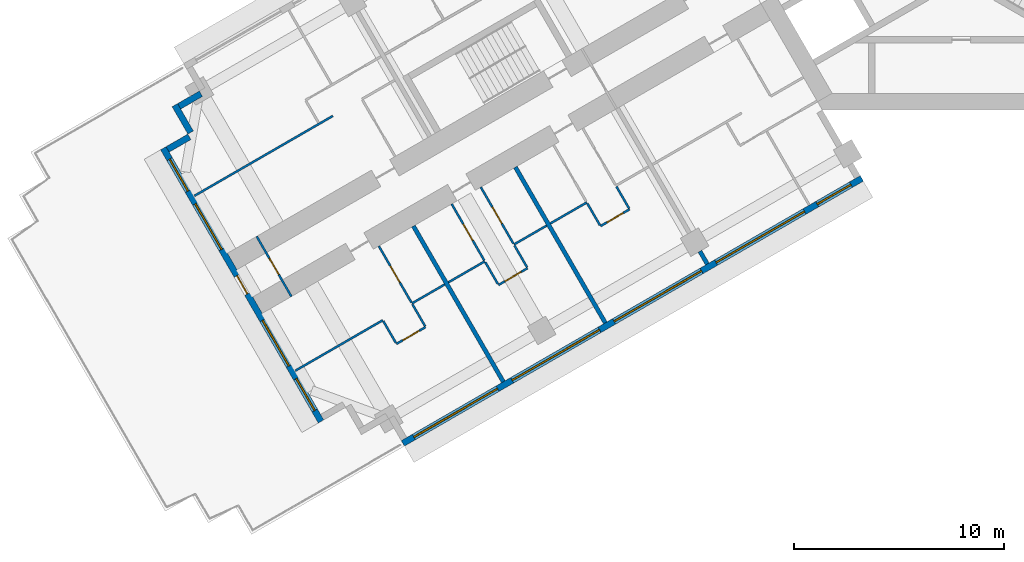
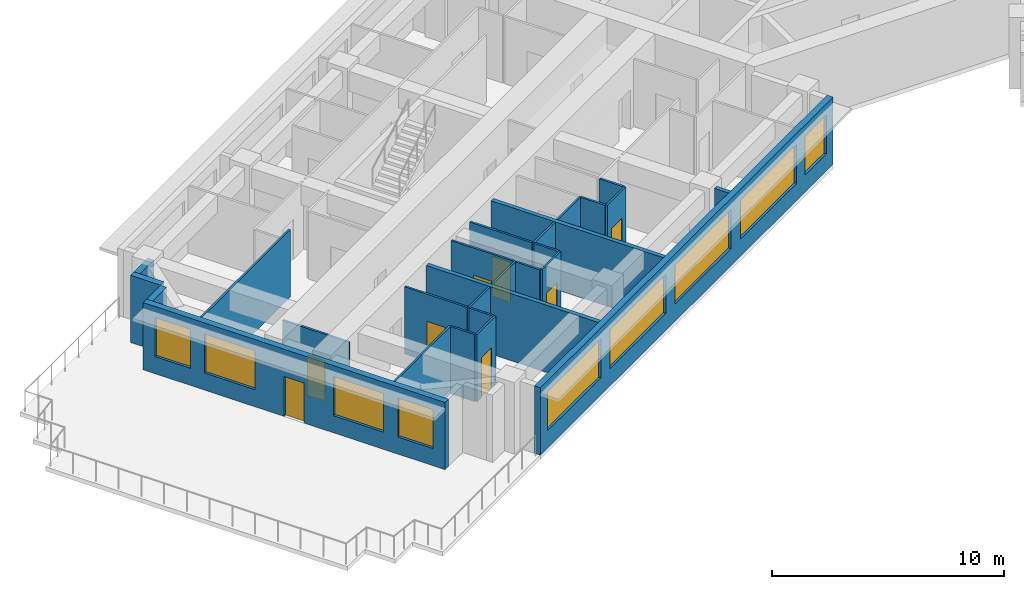
# One storey, part 3 of 15: 27 walls, 9 windows, 8 doors, 17 openings.
"""IFC4 building model written with IfcOpenShell, lengths in metres."""

from ifc_helpers import new_model, si_unit, direction, frame, frame_2d, origin, place, context, subcontext, project, spatial, rectangle, extrude, material, layer, layer_set, type_object, element, fill, save


model = new_model("IFC4")

# Units and contexts
model_context = context("Model", 3, precision=1e-05, world=origin(), true_north=direction((0.0, 1.0)))
body_context = subcontext(model_context, "Body", "Model", "MODEL_VIEW")
ifc_project = project(units=[si_unit("LENGTHUNIT", "METRE"), si_unit("AREAUNIT", "SQUARE_METRE"), si_unit("VOLUMEUNIT", "CUBIC_METRE"), si_unit("PLANEANGLEUNIT", "RADIAN"), si_unit("MASSUNIT", "GRAM", prefix="KILO")], contexts=[model_context])

# Site, building, storey
site_placement = place(None, origin())
site = spatial("IfcSite", under=ifc_project, at=site_placement, CompositionType="ELEMENT")
building_placement = place(site_placement, origin())
building = spatial("IfcBuilding", under=site, at=building_placement, Name="Impinga Residences", CompositionType="ELEMENT")
storey_placement = place(building_placement, frame((0.0, 0.0, 132.25)))
storey = spatial("IfcBuildingStorey", under=building, at=storey_placement, Name="L32", CompositionType="ELEMENT", Elevation=132.25)

# Wall, opening, door
ifc_material_1 = material(Name="Concrete blockwork", Category="masonry")
ifc_layer_1 = layer(ifc_material_1, 0.10009765625)
ifc_layer_set_1 = layer_set([ifc_layer_1], Name="CP1 core room partition, blockwork 100")
wall_type_1 = type_object("IfcWallType", Name="CP1 core room partition, blockwork 100", PredefinedType="PARTITIONING", material=ifc_layer_set_1)
wall_1_placement = place(storey_placement, frame((-31.8515625, -20.294677734375, 0.0), z_axis=(0.0, 0.0, 1.0), x_axis=(-0.499974350878, 0.866040211805, 0.0)))
wall_1 = element("IfcWall", 1, at=wall_1_placement, inside=storey, type_object=wall_type_1, Name="Core room partition, blockwork L32:W:RFA", PredefinedType="PARTITIONING", context=body_context, shape_type="SweptSolid", body=[
    extrude(rectangle(XDim=3.300048828125, YDim=0.10009765625, at=frame_2d((1.64990234375, 0.0))), origin(), (0.0, 0.0, 1.0), 3.530029296875),
])
opening_1_placement = place(wall_1_placement, frame((1.199951171875, 0.0, 0.0)))
opening_1 = element("IfcOpeningElement", 2, at=opening_1_placement, cuts=wall_1, Name="Opening D6", PredefinedType="OPENING", context=body_context, shape_type="SweptSolid", body=[
    extrude(rectangle(XDim=0.89990234375, YDim=2.10009765625, at=frame_2d((0.449951171875, 1.050048828125))), frame((0.0, 0.06005859375, 0.0), z_axis=(0.0, -1.0, 0.0), x_axis=(1.0, 0.0, 0.0)), (0.0, 0.0, 1.0), 0.1201171875),
])
ifc_material_2 = material(Name="Timber door set", Category="wood")
door_type_1 = type_object("IfcDoorType", Name="D6 riser and store door 900x2100", OperationType="SINGLE_SWING_LEFT", PredefinedType="DOOR", material=ifc_material_2)
door_1_placement = place(opening_1_placement, origin())
door_1 = element("IfcDoor", 3, at=door_1_placement, inside=storey, type_object=door_type_1, Name="Roof access room door W", OperationType="SINGLE_SWING_LEFT", OverallHeight=2.10009765625, OverallWidth=0.89990234375, PredefinedType="DOOR", context=body_context, shape_type="SweptSolid", body=[
    extrude(rectangle(XDim=0.89990234375, YDim=2.10009765625, at=frame_2d((0.449951171875, 1.050048828125))), frame((0.0, 0.02490234375, 0.0), z_axis=(0.0, -1.0, 0.0), x_axis=(1.0, 0.0, 0.0)), (0.0, 0.0, 1.0), 0.050048828125),
])
fill(opening_1, door_1)

# Wall, openings, windows
ifc_material_3 = material(Name="Terracotta rainscreen on blockwork", Category="masonry")
ifc_layer_2 = layer(ifc_material_3, 0.300048828125)
ifc_layer_set_2 = layer_set([ifc_layer_2], Name="EW1 external wall, terracotta rainscreen on blockwork 300")
wall_type_2 = type_object("IfcWallType", Name="EW1 external wall, terracotta rainscreen on blockwork 300", PredefinedType="SOLIDWALL", material=ifc_layer_set_2)
wall_2_placement = place(storey_placement, frame((-4.72509765625, -14.67919921875, 0.0), z_axis=(0.0, 0.0, 1.0), x_axis=(-0.866026832479, -0.499997525421, 0.0)))
wall_2 = element("IfcWall", 4, at=wall_2_placement, inside=storey, type_object=wall_type_2, Name="External wall EW1 L32", PredefinedType="SOLIDWALL", context=body_context, shape_type="SweptSolid", body=[
    extrude(rectangle(XDim=25.199951171875, YDim=0.300048828125, at=frame_2d((12.60009765625, 0.0))), origin(), (0.0, 0.0, 1.0), 3.530029296875),
])
opening_2_placement = place(wall_2_placement, frame((0.60009765625, 0.0, 0.89990234375)))
opening_2 = element("IfcOpeningElement", 5, at=opening_2_placement, cuts=wall_2, Name="Opening W15", PredefinedType="OPENING", context=body_context, shape_type="SweptSolid", body=[
    extrude(rectangle(XDim=1.85009765625, YDim=2.050048828125, at=frame_2d((0.925048828125, 1.02490234375))), frame((0.0, 0.159912109375, 0.0), z_axis=(0.0, -1.0, 0.0), x_axis=(1.0, 0.0, 0.0)), (0.0, 0.0, 1.0), 0.320068359375),
])
opening_3_placement = place(wall_2_placement, frame((3.14990234375, 0.0, 0.89990234375)))
opening_3 = element("IfcOpeningElement", 6, at=opening_3_placement, cuts=wall_2, Name="Opening W6", PredefinedType="OPENING", context=body_context, shape_type="SweptSolid", body=[
    extrude(rectangle(XDim=4.85009765625, YDim=2.050048828125, at=frame_2d((2.425048828125, 1.02490234375))), frame((0.0, 0.159912109375, 0.0), z_axis=(0.0, -1.0, 0.0), x_axis=(1.0, 0.0, 0.0)), (0.0, 0.0, 1.0), 0.320068359375),
])
opening_4_placement = place(wall_2_placement, frame((8.800048828125, 0.0, 0.89990234375)))
opening_4 = element("IfcOpeningElement", 7, at=opening_4_placement, cuts=wall_2, Name="Opening W8", PredefinedType="OPENING", context=body_context, shape_type="SweptSolid", body=[
    extrude(rectangle(XDim=4.800048828125, YDim=2.050048828125, at=frame_2d((2.39990234375, 1.02490234375))), frame((0.0, 0.159912109375, 0.0), z_axis=(0.0, -1.0, 0.0), x_axis=(1.0, 0.0, 0.0)), (0.0, 0.0, 1.0), 0.320068359375),
])
opening_5_placement = place(wall_2_placement, frame((14.39990234375, 0.0, 0.89990234375)))
opening_5 = element("IfcOpeningElement", 8, at=opening_5_placement, cuts=wall_2, Name="Opening W8", PredefinedType="OPENING", context=body_context, shape_type="SweptSolid", body=[
    extrude(rectangle(XDim=4.800048828125, YDim=2.050048828125, at=frame_2d((2.39990234375, 1.02490234375))), frame((0.0, 0.159912109375, 0.0), z_axis=(0.0, -1.0, 0.0), x_axis=(1.0, 0.0, 0.0)), (0.0, 0.0, 1.0), 0.320068359375),
])
opening_6_placement = place(wall_2_placement, frame((20.0, 0.0, 0.89990234375)))
opening_6 = element("IfcOpeningElement", 9, at=opening_6_placement, cuts=wall_2, Name="Opening W3", PredefinedType="OPENING", context=body_context, shape_type="SweptSolid", body=[
    extrude(rectangle(XDim=4.60009765625, YDim=2.050048828125, at=frame_2d((2.300048828125, 1.02490234375))), frame((0.0, 0.159912109375, 0.0), z_axis=(0.0, -1.0, 0.0), x_axis=(1.0, 0.0, 0.0)), (0.0, 0.0, 1.0), 0.320068359375),
])
ifc_material_4 = material(Name="Aluminium window, clear double glazing", Category="aluminium")
window_type_1 = type_object("IfcWindowType", Name="W15 ribbon window 1850x2050", PartitioningType="SINGLE_PANEL", PredefinedType="WINDOW", material=ifc_material_4)
window_1_placement = place(opening_2_placement, origin())
window_1 = element("IfcWindow", 10, at=window_1_placement, inside=storey, type_object=window_type_1, Name="Window L32", OverallHeight=2.050048828125, OverallWidth=1.85009765625, PartitioningType="SINGLE_PANEL", PredefinedType="WINDOW", context=body_context, shape_type="SweptSolid", body=[
    extrude(rectangle(XDim=1.85009765625, YDim=2.050048828125, at=frame_2d((0.925048828125, 1.02490234375))), frame((0.0, 0.030029296875, 0.0), z_axis=(0.0, -1.0, 0.0), x_axis=(1.0, 0.0, 0.0)), (0.0, 0.0, 1.0), 0.06005859375),
])
fill(opening_2, window_1)
window_type_2 = type_object("IfcWindowType", Name="W3 ribbon window 4600x2050", PartitioningType="SINGLE_PANEL", PredefinedType="WINDOW", material=ifc_material_4)
window_2_placement = place(opening_6_placement, origin())
window_2 = element("IfcWindow", 11, at=window_2_placement, inside=storey, type_object=window_type_2, Name="Window L32", OverallHeight=2.050048828125, OverallWidth=4.60009765625, PartitioningType="SINGLE_PANEL", PredefinedType="WINDOW", context=body_context, shape_type="SweptSolid", body=[
    extrude(rectangle(XDim=4.60009765625, YDim=2.050048828125, at=frame_2d((2.300048828125, 1.02490234375))), frame((0.0, 0.030029296875, 0.0), z_axis=(0.0, -1.0, 0.0), x_axis=(1.0, 0.0, 0.0)), (0.0, 0.0, 1.0), 0.06005859375),
])
fill(opening_6, window_2)
window_type_3 = type_object("IfcWindowType", Name="W6 ribbon window 4850x2050", PartitioningType="SINGLE_PANEL", PredefinedType="WINDOW", material=ifc_material_4)
window_3_placement = place(opening_3_placement, origin())
window_3 = element("IfcWindow", 12, at=window_3_placement, inside=storey, type_object=window_type_3, Name="Window L32", OverallHeight=2.050048828125, OverallWidth=4.85009765625, PartitioningType="SINGLE_PANEL", PredefinedType="WINDOW", context=body_context, shape_type="SweptSolid", body=[
    extrude(rectangle(XDim=4.85009765625, YDim=2.050048828125, at=frame_2d((2.425048828125, 1.02490234375))), frame((0.0, 0.030029296875, 0.0), z_axis=(0.0, -1.0, 0.0), x_axis=(1.0, 0.0, 0.0)), (0.0, 0.0, 1.0), 0.06005859375),
])
fill(opening_3, window_3)
window_type_4 = type_object("IfcWindowType", Name="W8 ribbon window 4800x2050", PartitioningType="SINGLE_PANEL", PredefinedType="WINDOW", material=ifc_material_4)
window_4_placement = place(opening_4_placement, origin())
window_4 = element("IfcWindow", 13, at=window_4_placement, inside=storey, type_object=window_type_4, Name="Window L32", OverallHeight=2.050048828125, OverallWidth=4.800048828125, PartitioningType="SINGLE_PANEL", PredefinedType="WINDOW", context=body_context, shape_type="SweptSolid", body=[
    extrude(rectangle(XDim=4.800048828125, YDim=2.050048828125, at=frame_2d((2.39990234375, 1.02490234375))), frame((0.0, 0.030029296875, 0.0), z_axis=(0.0, -1.0, 0.0), x_axis=(1.0, 0.0, 0.0)), (0.0, 0.0, 1.0), 0.06005859375),
])
fill(opening_4, window_4)
window_5_placement = place(opening_5_placement, origin())
window_5 = element("IfcWindow", 14, at=window_5_placement, inside=storey, type_object=window_type_4, Name="Window L32", OverallHeight=2.050048828125, OverallWidth=4.800048828125, PartitioningType="SINGLE_PANEL", PredefinedType="WINDOW", context=body_context, shape_type="SweptSolid", body=[
    extrude(rectangle(XDim=4.800048828125, YDim=2.050048828125, at=frame_2d((2.39990234375, 1.02490234375))), frame((0.0, 0.030029296875, 0.0), z_axis=(0.0, -1.0, 0.0), x_axis=(1.0, 0.0, 0.0)), (0.0, 0.0, 1.0), 0.06005859375),
])
fill(opening_5, window_5)

# Wall, openings, door, windows
wall_3_placement = place(storey_placement, frame((-30.44189453125, -26.23583984375, 0.0), z_axis=(0.0, 0.0, 1.0), x_axis=(-0.500004234368, 0.866022959057, 0.0)))
wall_3 = element("IfcWall", 15, at=wall_3_placement, inside=storey, type_object=wall_type_2, Name="External wall EW1 L32", PredefinedType="SOLIDWALL", context=body_context, shape_type="SweptSolid", body=[
    extrude(rectangle(XDim=14.999755859375, YDim=0.300048828125, at=frame_2d((7.5, 0.0))), origin(), (0.0, 0.0, 1.0), 3.530029296875),
])
opening_7_placement = place(wall_3_placement, frame((7.0, 0.0, 0.0)))
opening_7 = element("IfcOpeningElement", 16, at=opening_7_placement, cuts=wall_3, Name="Opening RD1", PredefinedType="OPENING", context=body_context, shape_type="SweptSolid", body=[
    extrude(rectangle(XDim=1.0, YDim=2.10009765625, at=frame_2d((0.5, 1.050048828125))), frame((0.0, 0.159912109375, 0.0), z_axis=(0.0, -1.0, 0.0), x_axis=(1.0, 0.0, 0.0)), (0.0, 0.0, 1.0), 0.320068359375),
])
opening_8_placement = place(wall_3_placement, frame((0.60009765625, 0.0, 0.89990234375)))
opening_8 = element("IfcOpeningElement", 17, at=opening_8_placement, cuts=wall_3, Name="Opening W1", PredefinedType="OPENING", context=body_context, shape_type="SweptSolid", body=[
    extrude(rectangle(XDim=1.75, YDim=2.050048828125, at=frame_2d((0.875, 1.02490234375))), frame((0.0, 0.159912109375, 0.0), z_axis=(0.0, -1.0, 0.0), x_axis=(1.0, 0.0, 0.0)), (0.0, 0.0, 1.0), 0.320068359375),
])
opening_9_placement = place(wall_3_placement, frame((3.050048828125, 0.0, 0.89990234375)))
opening_9 = element("IfcOpeningElement", 18, at=opening_9_placement, cuts=wall_3, Name="Opening W2", PredefinedType="OPENING", context=body_context, shape_type="SweptSolid", body=[
    extrude(rectangle(XDim=2.5, YDim=2.050048828125, at=frame_2d((1.25, 1.02490234375))), frame((0.0, 0.159912109375, 0.0), z_axis=(0.0, -1.0, 0.0), x_axis=(1.0, 0.0, 0.0)), (0.0, 0.0, 1.0), 0.320068359375),
])
opening_10_placement = place(wall_3_placement, frame((9.449951171875, 0.0, 0.89990234375)))
opening_10 = element("IfcOpeningElement", 19, at=opening_10_placement, cuts=wall_3, Name="Opening W2", PredefinedType="OPENING", context=body_context, shape_type="SweptSolid", body=[
    extrude(rectangle(XDim=2.5, YDim=2.050048828125, at=frame_2d((1.25, 1.02490234375))), frame((0.0, 0.159912109375, 0.0), z_axis=(0.0, -1.0, 0.0), x_axis=(1.0, 0.0, 0.0)), (0.0, 0.0, 1.0), 0.320068359375),
])
opening_11_placement = place(wall_3_placement, frame((12.64990234375, 0.0, 0.89990234375)))
opening_11 = element("IfcOpeningElement", 20, at=opening_11_placement, cuts=wall_3, Name="Opening W1", PredefinedType="OPENING", context=body_context, shape_type="SweptSolid", body=[
    extrude(rectangle(XDim=1.75, YDim=2.050048828125, at=frame_2d((0.875, 1.02490234375))), frame((0.0, 0.159912109375, 0.0), z_axis=(0.0, -1.0, 0.0), x_axis=(1.0, 0.0, 0.0)), (0.0, 0.0, 1.0), 0.320068359375),
])
ifc_material_5 = material(Name="Steel door, painted", Category="steel")
door_type_2 = type_object("IfcDoorType", Name="RD1 maintenance roof access door 1000x2100", OperationType="SINGLE_SWING_LEFT", PredefinedType="DOOR", material=ifc_material_5)
door_2_placement = place(opening_7_placement, origin())
door_2 = element("IfcDoor", 21, at=door_2_placement, inside=storey, type_object=door_type_2, Name="Maintenance roof access door L32", OperationType="SINGLE_SWING_LEFT", OverallHeight=2.10009765625, OverallWidth=1.0, PredefinedType="DOOR", context=body_context, shape_type="SweptSolid", body=[
    extrude(rectangle(XDim=1.0, YDim=2.10009765625, at=frame_2d((0.5, 1.050048828125))), frame((0.0, 0.02490234375, 0.0), z_axis=(0.0, -1.0, 0.0), x_axis=(1.0, 0.0, 0.0)), (0.0, 0.0, 1.0), 0.050048828125),
])
fill(opening_7, door_2)
window_type_5 = type_object("IfcWindowType", Name="W1 ribbon window 1750x2050", PartitioningType="SINGLE_PANEL", PredefinedType="WINDOW", material=ifc_material_4)
window_6_placement = place(opening_8_placement, origin())
window_6 = element("IfcWindow", 22, at=window_6_placement, inside=storey, type_object=window_type_5, Name="Window L32", OverallHeight=2.050048828125, OverallWidth=1.75, PartitioningType="SINGLE_PANEL", PredefinedType="WINDOW", context=body_context, shape_type="SweptSolid", body=[
    extrude(rectangle(XDim=1.75, YDim=2.050048828125, at=frame_2d((0.875, 1.02490234375))), frame((0.0, 0.030029296875, 0.0), z_axis=(0.0, -1.0, 0.0), x_axis=(1.0, 0.0, 0.0)), (0.0, 0.0, 1.0), 0.06005859375),
])
fill(opening_8, window_6)
window_7_placement = place(opening_11_placement, origin())
window_7 = element("IfcWindow", 23, at=window_7_placement, inside=storey, type_object=window_type_5, Name="Window L32", OverallHeight=2.050048828125, OverallWidth=1.75, PartitioningType="SINGLE_PANEL", PredefinedType="WINDOW", context=body_context, shape_type="SweptSolid", body=[
    extrude(rectangle(XDim=1.75, YDim=2.050048828125, at=frame_2d((0.875, 1.02490234375))), frame((0.0, 0.030029296875, 0.0), z_axis=(0.0, -1.0, 0.0), x_axis=(1.0, 0.0, 0.0)), (0.0, 0.0, 1.0), 0.06005859375),
])
fill(opening_11, window_7)
window_type_6 = type_object("IfcWindowType", Name="W2 ribbon window 2500x2050", PartitioningType="SINGLE_PANEL", PredefinedType="WINDOW", material=ifc_material_4)
window_8_placement = place(opening_9_placement, origin())
window_8 = element("IfcWindow", 24, at=window_8_placement, inside=storey, type_object=window_type_6, Name="Window L32", OverallHeight=2.050048828125, OverallWidth=2.5, PartitioningType="SINGLE_PANEL", PredefinedType="WINDOW", context=body_context, shape_type="SweptSolid", body=[
    extrude(rectangle(XDim=2.5, YDim=2.050048828125, at=frame_2d((1.25, 1.02490234375))), frame((0.0, 0.030029296875, 0.0), z_axis=(0.0, -1.0, 0.0), x_axis=(1.0, 0.0, 0.0)), (0.0, 0.0, 1.0), 0.06005859375),
])
fill(opening_9, window_8)
window_9_placement = place(opening_10_placement, origin())
window_9 = element("IfcWindow", 25, at=window_9_placement, inside=storey, type_object=window_type_6, Name="Window L32", OverallHeight=2.050048828125, OverallWidth=2.5, PartitioningType="SINGLE_PANEL", PredefinedType="WINDOW", context=body_context, shape_type="SweptSolid", body=[
    extrude(rectangle(XDim=2.5, YDim=2.050048828125, at=frame_2d((1.25, 1.02490234375))), frame((0.0, 0.030029296875, 0.0), z_axis=(0.0, -1.0, 0.0), x_axis=(1.0, 0.0, 0.0)), (0.0, 0.0, 1.0), 0.06005859375),
])
fill(opening_10, window_9)

# Walls
wall_4_placement = place(storey_placement, frame((-37.737060546875, -13.300537109375, 0.0), z_axis=(0.0, 0.0, 1.0), x_axis=(0.865971243484, 0.500093796661, 0.0)))
element("IfcWall", 26, at=wall_4_placement, inside=storey, type_object=wall_type_2, Name="External wall EW1 L32", PredefinedType="SOLIDWALL", context=body_context, shape_type="SweptSolid", body=[
    extrude(rectangle(XDim=1.195068359375, YDim=0.300048828125, at=frame_2d((0.59765625, 0.0))), origin(), (0.0, 0.0, 1.0), 3.530029296875),
])
wall_5_placement = place(storey_placement, frame((-36.64306640625, -12.49560546875, 0.0), z_axis=(0.0, 0.0, 1.0), x_axis=(-0.499990139034, 0.866031096941, 0.0)))
element("IfcWall", 27, at=wall_5_placement, inside=storey, type_object=wall_type_2, Name="External wall EW1 L32", PredefinedType="SOLIDWALL", context=body_context, shape_type="SweptSolid", body=[
    extrude(rectangle(XDim=1.5, YDim=0.300048828125, at=frame_2d((0.75, 0.0))), origin(), (0.0, 0.0, 1.0), 3.530029296875),
])
wall_6_placement = place(storey_placement, frame((-37.18798828125, -11.25146484375, 0.0), z_axis=(0.0, 0.0, 1.0), x_axis=(0.866059708757, 0.499940577336, 0.0)))
element("IfcWall", 28, at=wall_6_placement, inside=storey, type_object=wall_type_2, Name="External wall EW1 L32", PredefinedType="SOLIDWALL", context=body_context, shape_type="SweptSolid", body=[
    extrude(rectangle(XDim=1.195068359375, YDim=0.300048828125, at=frame_2d((0.59765625, 0.0))), origin(), (0.0, 0.0, 1.0), 3.530029296875),
])
ifc_material_6 = material(Name="Gypsum board on steel studs", Category="steel")
ifc_layer_3 = layer(ifc_material_6, 0.10009765625)
ifc_layer_set_3 = layer_set([ifc_layer_3], Name="Gypsum board on steel studs")
wall_type_3 = type_object("IfcWallType", Name="IP1 partition 100", PredefinedType="PARTITIONING", material=ifc_layer_set_3)
wall_7_placement = place(storey_placement, frame((-17.8056640625, -15.82275390625, 0.0), z_axis=(0.0, 0.0, 1.0), x_axis=(-0.866041268327, -0.499972520799, 0.0)))
element("IfcWall", 29, at=wall_7_placement, inside=storey, type_object=wall_type_3, Name="Partition L32-WA2:DIV1", PredefinedType="PARTITIONING", context=body_context, shape_type="SweptSolid", body=[
    extrude(rectangle(XDim=2.0, YDim=0.10009765625, at=frame_2d((1.0, 0.0))), origin(), (0.0, 0.0, 1.0), 3.530029296875),
])

# Wall, opening, door
wall_8_placement = place(storey_placement, frame((-15.77001953125, -16.1484375, 0.0), z_axis=(0.0, 0.0, 1.0), x_axis=(-0.866028054938, -0.499995408039, 0.0)))
wall_8 = element("IfcWall", 30, at=wall_8_placement, inside=storey, type_object=wall_type_3, Name="Partition L32-WA2:STRIP", PredefinedType="PARTITIONING", context=body_context, shape_type="SweptSolid", body=[
    extrude(rectangle(XDim=1.60009765625, YDim=0.10009765625, at=frame_2d((0.800048828125, 0.0))), origin(), (0.0, 0.0, 1.0), 3.530029296875),
])
opening_12_placement = place(wall_8_placement, frame((0.35009765625, 0.0, 0.0)))
opening_12 = element("IfcOpeningElement", 31, at=opening_12_placement, cuts=wall_8, Name="Opening D2", PredefinedType="OPENING", context=body_context, shape_type="SweptSolid", body=[
    extrude(rectangle(XDim=0.89990234375, YDim=2.10009765625, at=frame_2d((0.449951171875, 1.050048828125))), frame((0.0, 0.06005859375, 0.0), z_axis=(0.0, -1.0, 0.0), x_axis=(1.0, 0.0, 0.0)), (0.0, 0.0, 1.0), 0.1201171875),
])
door_type_3 = type_object("IfcDoorType", Name="D2 internal door 900x2100", OperationType="SINGLE_SWING_LEFT", PredefinedType="DOOR", material=ifc_material_2)
door_3_placement = place(opening_12_placement, origin())
door_3 = element("IfcDoor", 32, at=door_3_placement, inside=storey, type_object=door_type_3, Name="Apartment L32-WA2 room door", OperationType="SINGLE_SWING_LEFT", OverallHeight=2.10009765625, OverallWidth=0.89990234375, PredefinedType="DOOR", context=body_context, shape_type="SweptSolid", body=[
    extrude(rectangle(XDim=0.89990234375, YDim=2.10009765625, at=frame_2d((0.449951171875, 1.050048828125))), frame((0.0, 0.02490234375, 0.0), z_axis=(0.0, -1.0, 0.0), x_axis=(1.0, 0.0, 0.0)), (0.0, 0.0, 1.0), 0.050048828125),
])
fill(opening_12, door_3)

# Walls
wall_9_placement = place(storey_placement, frame((-16.39501953125, -15.06591796875, 0.0), z_axis=(0.0, 0.0, 1.0), x_axis=(0.499880961361, -0.866094119867, 0.0)))
element("IfcWall", 33, at=wall_9_placement, inside=storey, type_object=wall_type_3, Name="Partition L32-WA2:SE0", PredefinedType="PARTITIONING", context=body_context, shape_type="SweptSolid", body=[
    extrude(rectangle(XDim=1.199951171875, YDim=0.10009765625, at=frame_2d((0.60009765625, 0.0))), origin(), (0.0, 0.0, 1.0), 3.530029296875),
])
wall_10_placement = place(storey_placement, frame((-17.78076171875, -15.865966796875, 0.0), z_axis=(0.0, 0.0, 1.0), x_axis=(0.500033551112, -0.866006032174, 0.0)))
element("IfcWall", 34, at=wall_10_placement, inside=storey, type_object=wall_type_3, Name="Partition L32-WA2:SE1", PredefinedType="PARTITIONING", context=body_context, shape_type="SweptSolid", body=[
    extrude(rectangle(XDim=1.2001953125, YDim=0.10009765625, at=frame_2d((0.60009765625, 0.0))), origin(), (0.0, 0.0, 1.0), 3.530029296875),
])
wall_11_placement = place(storey_placement, frame((-19.7109375, -16.922607421875, 0.0), z_axis=(0.0, 0.0, 1.0), x_axis=(-0.865989075817, -0.500062916607, 0.0)))
element("IfcWall", 35, at=wall_11_placement, inside=storey, type_object=wall_type_3, Name="Partition L32-WA3:DIV0", PredefinedType="PARTITIONING", context=body_context, shape_type="SweptSolid", body=[
    extrude(rectangle(XDim=1.800048828125, YDim=0.10009765625, at=frame_2d((0.89990234375, 0.0))), origin(), (0.0, 0.0, 1.0), 3.530029296875),
])
wall_12_placement = place(storey_placement, frame((-22.655517578125, -18.622802734375, 0.0), z_axis=(0.0, 0.0, 1.0), x_axis=(-0.866010750942, -0.50002537861, 0.0)))
element("IfcWall", 36, at=wall_12_placement, inside=storey, type_object=wall_type_3, Name="Partition L32-WA3:DIV1", PredefinedType="PARTITIONING", context=body_context, shape_type="SweptSolid", body=[
    extrude(rectangle(XDim=2.0, YDim=0.10009765625, at=frame_2d((1.0, 0.0))), origin(), (0.0, 0.0, 1.0), 3.530029296875),
])

# Wall, opening, door
wall_13_placement = place(storey_placement, frame((-20.619873046875, -18.948486328125, 0.0), z_axis=(0.0, 0.0, 1.0), x_axis=(-0.865989903783, -0.500061482766, 0.0)))
wall_13 = element("IfcWall", 37, at=wall_13_placement, inside=storey, type_object=wall_type_3, Name="Partition L32-WA3:STRIP", PredefinedType="PARTITIONING", context=body_context, shape_type="SweptSolid", body=[
    extrude(rectangle(XDim=1.599853515625, YDim=0.10009765625, at=frame_2d((0.7998046875, 0.0))), origin(), (0.0, 0.0, 1.0), 3.530029296875),
])
opening_13_placement = place(wall_13_placement, frame((0.35009765625, 0.0, 0.0)))
opening_13 = element("IfcOpeningElement", 38, at=opening_13_placement, cuts=wall_13, Name="Opening D2", PredefinedType="OPENING", context=body_context, shape_type="SweptSolid", body=[
    extrude(rectangle(XDim=0.89990234375, YDim=2.10009765625, at=frame_2d((0.449951171875, 1.050048828125))), frame((0.0, 0.06005859375, 0.0), z_axis=(0.0, -1.0, 0.0), x_axis=(1.0, 0.0, 0.0)), (0.0, 0.0, 1.0), 0.1201171875),
])
door_4_placement = place(opening_13_placement, origin())
door_4 = element("IfcDoor", 39, at=door_4_placement, inside=storey, type_object=door_type_3, Name="Apartment L32-WA3 room door", OperationType="SINGLE_SWING_LEFT", OverallHeight=2.10009765625, OverallWidth=0.89990234375, PredefinedType="DOOR", context=body_context, shape_type="SweptSolid", body=[
    extrude(rectangle(XDim=0.89990234375, YDim=2.10009765625, at=frame_2d((0.449951171875, 1.050048828125))), frame((0.0, 0.02490234375, 0.0), z_axis=(0.0, -1.0, 0.0), x_axis=(1.0, 0.0, 0.0)), (0.0, 0.0, 1.0), 0.050048828125),
])
fill(opening_13, door_4)

# Walls
wall_14_placement = place(storey_placement, frame((-21.244873046875, -17.865966796875, 0.0), z_axis=(0.0, 0.0, 1.0), x_axis=(0.500033551112, -0.866006032174, 0.0)))
element("IfcWall", 40, at=wall_14_placement, inside=storey, type_object=wall_type_3, Name="Partition L32-WA3:SE0", PredefinedType="PARTITIONING", context=body_context, shape_type="SweptSolid", body=[
    extrude(rectangle(XDim=1.2001953125, YDim=0.10009765625, at=frame_2d((0.60009765625, 0.0))), origin(), (0.0, 0.0, 1.0), 3.530029296875),
])
wall_15_placement = place(storey_placement, frame((-22.63037109375, -18.666015625, 0.0), z_axis=(0.0, 0.0, 1.0), x_axis=(0.499880961361, -0.866094119867, 0.0)))
element("IfcWall", 41, at=wall_15_placement, inside=storey, type_object=wall_type_3, Name="Partition L32-WA3:SE1", PredefinedType="PARTITIONING", context=body_context, shape_type="SweptSolid", body=[
    extrude(rectangle(XDim=1.199951171875, YDim=0.10009765625, at=frame_2d((0.60009765625, 0.0))), origin(), (0.0, 0.0, 1.0), 3.530029296875),
])

# Wall, opening, door
wall_16_placement = place(storey_placement, frame((-22.8447265625, -15.0947265625, 0.0), z_axis=(0.0, 0.0, 1.0), x_axis=(0.499967891604, -0.866043940782, 0.0)))
wall_16 = element("IfcWall", 42, at=wall_16_placement, inside=storey, type_object=wall_type_3, Name="Partition L32-WA3:IB1", PredefinedType="PARTITIONING", context=body_context, shape_type="SweptSolid", body=[
    extrude(rectangle(XDim=3.099853515625, YDim=0.10009765625, at=frame_2d((1.5498046875, 0.0))), origin(), (0.0, 0.0, 1.0), 3.530029296875),
])
opening_14_placement = place(wall_16_placement, frame((1.10009765625, 0.0, 0.0)))
opening_14 = element("IfcOpeningElement", 43, at=opening_14_placement, cuts=wall_16, Name="Opening D2", PredefinedType="OPENING", context=body_context, shape_type="SweptSolid", body=[
    extrude(rectangle(XDim=0.89990234375, YDim=2.10009765625, at=frame_2d((0.449951171875, 1.050048828125))), frame((0.0, 0.06005859375, 0.0), z_axis=(0.0, -1.0, 0.0), x_axis=(1.0, 0.0, 0.0)), (0.0, 0.0, 1.0), 0.1201171875),
])
door_5_placement = place(opening_14_placement, origin())
door_5 = element("IfcDoor", 44, at=door_5_placement, inside=storey, type_object=door_type_3, Name="Apartment L32-WA3 bathroom door", OperationType="SINGLE_SWING_LEFT", OverallHeight=2.10009765625, OverallWidth=0.89990234375, PredefinedType="DOOR", context=body_context, shape_type="SweptSolid", body=[
    extrude(rectangle(XDim=0.89990234375, YDim=2.10009765625, at=frame_2d((0.449951171875, 1.050048828125))), frame((0.0, 0.02490234375, 0.0), z_axis=(0.0, -1.0, 0.0), x_axis=(1.0, 0.0, 0.0)), (0.0, 0.0, 1.0), 0.050048828125),
])
fill(opening_14, door_5)

wall_17_placement = place(storey_placement, frame((-24.23046875, -15.894775390625, 0.0), z_axis=(0.0, 0.0, 1.0), x_axis=(0.500026960575, -0.86600983753, 0.0)))
wall_17 = element("IfcWall", 45, at=wall_17_placement, inside=storey, type_object=wall_type_3, Name="Partition L32-WA3:IB2", PredefinedType="PARTITIONING", context=body_context, shape_type="SweptSolid", body=[
    extrude(rectangle(XDim=3.099853515625, YDim=0.10009765625, at=frame_2d((1.5498046875, 0.0))), origin(), (0.0, 0.0, 1.0), 3.530029296875),
])
opening_15_placement = place(wall_17_placement, frame((1.10009765625, 0.0, 0.0)))
opening_15 = element("IfcOpeningElement", 46, at=opening_15_placement, cuts=wall_17, Name="Opening D2", PredefinedType="OPENING", context=body_context, shape_type="SweptSolid", body=[
    extrude(rectangle(XDim=0.89990234375, YDim=2.10009765625, at=frame_2d((0.449951171875, 1.050048828125))), frame((0.0, 0.06005859375, 0.0), z_axis=(0.0, -1.0, 0.0), x_axis=(1.0, 0.0, 0.0)), (0.0, 0.0, 1.0), 0.1201171875),
])
door_6_placement = place(opening_15_placement, origin())
door_6 = element("IfcDoor", 47, at=door_6_placement, inside=storey, type_object=door_type_3, Name="Apartment L32-WA3 WC door", OperationType="SINGLE_SWING_LEFT", OverallHeight=2.10009765625, OverallWidth=0.89990234375, PredefinedType="DOOR", context=body_context, shape_type="SweptSolid", body=[
    extrude(rectangle(XDim=0.89990234375, YDim=2.10009765625, at=frame_2d((0.449951171875, 1.050048828125))), frame((0.0, 0.02490234375, 0.0), z_axis=(0.0, -1.0, 0.0), x_axis=(1.0, 0.0, 0.0)), (0.0, 0.0, 1.0), 0.050048828125),
])
fill(opening_15, door_6)

# Walls
wall_18_placement = place(storey_placement, frame((-24.560791015625, -19.72265625, 0.0), z_axis=(0.0, 0.0, 1.0), x_axis=(-0.865989075817, -0.500062916607, 0.0)))
element("IfcWall", 48, at=wall_18_placement, inside=storey, type_object=wall_type_3, Name="Partition L32-WA4:DIV0", PredefinedType="PARTITIONING", context=body_context, shape_type="SweptSolid", body=[
    extrude(rectangle(XDim=1.800048828125, YDim=0.10009765625, at=frame_2d((0.89990234375, 0.0))), origin(), (0.0, 0.0, 1.0), 3.530029296875),
])
wall_19_placement = place(storey_placement, frame((-27.505126953125, -21.422607421875, 0.0), z_axis=(0.0, 0.0, 1.0), x_axis=(-0.866015339567, -0.500017431331, 0.0)))
element("IfcWall", 49, at=wall_19_placement, inside=storey, type_object=wall_type_3, Name="Partition L32-WA4:DIV1", PredefinedType="PARTITIONING", context=body_context, shape_type="SweptSolid", body=[
    extrude(rectangle(XDim=4.800048828125, YDim=0.10009765625, at=frame_2d((2.39990234375, 0.0))), origin(), (0.0, 0.0, 1.0), 3.530029296875),
])

# Wall, opening, door
wall_20_placement = place(storey_placement, frame((-25.469482421875, -21.74853515625, 0.0), z_axis=(0.0, 0.0, 1.0), x_axis=(-0.866028054938, -0.499995408039, 0.0)))
wall_20 = element("IfcWall", 50, at=wall_20_placement, inside=storey, type_object=wall_type_3, Name="Partition L32-WA4:STRIP", PredefinedType="PARTITIONING", context=body_context, shape_type="SweptSolid", body=[
    extrude(rectangle(XDim=1.60009765625, YDim=0.10009765625, at=frame_2d((0.800048828125, 0.0))), origin(), (0.0, 0.0, 1.0), 3.530029296875),
])
opening_16_placement = place(wall_20_placement, frame((0.35009765625, 0.0, 0.0)))
opening_16 = element("IfcOpeningElement", 51, at=opening_16_placement, cuts=wall_20, Name="Opening D2", PredefinedType="OPENING", context=body_context, shape_type="SweptSolid", body=[
    extrude(rectangle(XDim=0.89990234375, YDim=2.10009765625, at=frame_2d((0.449951171875, 1.050048828125))), frame((0.0, 0.06005859375, 0.0), z_axis=(0.0, -1.0, 0.0), x_axis=(1.0, 0.0, 0.0)), (0.0, 0.0, 1.0), 0.1201171875),
])
door_7_placement = place(opening_16_placement, origin())
door_7 = element("IfcDoor", 52, at=door_7_placement, inside=storey, type_object=door_type_3, Name="Apartment L32-WA4 room door", OperationType="SINGLE_SWING_LEFT", OverallHeight=2.10009765625, OverallWidth=0.89990234375, PredefinedType="DOOR", context=body_context, shape_type="SweptSolid", body=[
    extrude(rectangle(XDim=0.89990234375, YDim=2.10009765625, at=frame_2d((0.449951171875, 1.050048828125))), frame((0.0, 0.02490234375, 0.0), z_axis=(0.0, -1.0, 0.0), x_axis=(1.0, 0.0, 0.0)), (0.0, 0.0, 1.0), 0.050048828125),
])
fill(opening_16, door_7)

# Walls
for number, where, z_axis, x_axis, name in (
    (53, (-26.094482421875, -20.666015625, 0.0), (0.0, 0.0, 1.0), (0.499880961361, -0.866094119867, 0.0), "Partition L32-WA4:SE0"),
    (54, (-27.480224609375, -21.466064453125, 0.0), (0.0, 0.0, 1.0), (0.50012165622, -0.865955154139, 0.0), "Partition L32-WA4:SE1"),
):
    element("IfcWall", number, at=place(storey_placement, frame(where, z_axis=z_axis, x_axis=x_axis)), inside=storey, type_object=wall_type_3, Name=name, PredefinedType="PARTITIONING", context=body_context, shape_type="SweptSolid", body=[
        extrude(rectangle(XDim=1.199951171875, YDim=0.10009765625, at=frame_2d((0.60009765625, 0.0))), origin(), (0.0, 0.0, 1.0), 3.530029296875),
    ])

# Wall, opening, door
wall_21_placement = place(storey_placement, frame((-27.694580078125, -17.894775390625, 0.0), z_axis=(0.0, 0.0, 1.0), x_axis=(0.500026960575, -0.86600983753, 0.0)))
wall_21 = element("IfcWall", 55, at=wall_21_placement, inside=storey, type_object=wall_type_3, Name="Partition L32-WA4:IB1", PredefinedType="PARTITIONING", context=body_context, shape_type="SweptSolid", body=[
    extrude(rectangle(XDim=3.099853515625, YDim=0.10009765625, at=frame_2d((1.5498046875, 0.0))), origin(), (0.0, 0.0, 1.0), 3.530029296875),
])
opening_17_placement = place(wall_21_placement, frame((1.10009765625, 0.0, 0.0)))
opening_17 = element("IfcOpeningElement", 56, at=opening_17_placement, cuts=wall_21, Name="Opening D2", PredefinedType="OPENING", context=body_context, shape_type="SweptSolid", body=[
    extrude(rectangle(XDim=0.89990234375, YDim=2.10009765625, at=frame_2d((0.449951171875, 1.050048828125))), frame((0.0, 0.06005859375, 0.0), z_axis=(0.0, -1.0, 0.0), x_axis=(1.0, 0.0, 0.0)), (0.0, 0.0, 1.0), 0.1201171875),
])
door_8_placement = place(opening_17_placement, origin())
door_8 = element("IfcDoor", 57, at=door_8_placement, inside=storey, type_object=door_type_3, Name="Apartment L32-WA4 bathroom door", OperationType="SINGLE_SWING_LEFT", OverallHeight=2.10009765625, OverallWidth=0.89990234375, PredefinedType="DOOR", context=body_context, shape_type="SweptSolid", body=[
    extrude(rectangle(XDim=0.89990234375, YDim=2.10009765625, at=frame_2d((0.449951171875, 1.050048828125))), frame((0.0, 0.02490234375, 0.0), z_axis=(0.0, -1.0, 0.0), x_axis=(1.0, 0.0, 0.0)), (0.0, 0.0, 1.0), 0.050048828125),
])
fill(opening_17, door_8)

# Walls
wall_22_placement = place(storey_placement, frame((-29.88037109375, -11.708740234375, 0.0), z_axis=(0.0, 0.0, 1.0), x_axis=(-0.866022425744, -0.500005158081, 0.0)))
element("IfcWall", 58, at=wall_22_placement, inside=storey, type_object=wall_type_3, Name="Partition L32-WF2:DIV1", PredefinedType="PARTITIONING", context=body_context, shape_type="SweptSolid", body=[
    extrude(rectangle(XDim=7.60009765625, YDim=0.10009765625, at=frame_2d((3.800048828125, 0.0))), origin(), (0.0, 0.0, 1.0), 3.530029296875),
])
ifc_layer_4 = layer(ifc_material_1, 0.199951171875)
ifc_layer_set_4 = layer_set([ifc_layer_4], Name="PW1 party wall between apartments 200")
wall_type_4 = type_object("IfcWallType", Name="PW1 party wall between apartments 200", PredefinedType="SOLIDWALL", material=ifc_layer_set_4)
wall_23_placement = place(storey_placement, frame((-12.424560546875, -18.14306640625, 0.0), z_axis=(0.0, 0.0, 1.0), x_axis=(0.499853302173, -0.866110083249, 0.0)))
element("IfcWall", 59, at=wall_23_placement, inside=storey, type_object=wall_type_4, Name="Party wall between apartments L32-WA1:PARTYb", PredefinedType="SOLIDWALL", context=body_context, shape_type="SweptSolid", body=[
    extrude(rectangle(XDim=0.699951171875, YDim=0.199951171875, at=frame_2d((0.35009765625, 0.0))), origin(), (0.0, 0.0, 1.0), 3.530029296875),
])
wall_24_placement = place(storey_placement, frame((-21.199462890625, -14.144775390625, 0.0), z_axis=(0.0, 0.0, 1.0), x_axis=(0.500011643316, -0.866018681408, 0.0)))
element("IfcWall", 60, at=wall_24_placement, inside=storey, type_object=wall_type_4, Name="Party wall between apartments L32-WA2:PARTY", PredefinedType="SOLIDWALL", context=body_context, shape_type="SweptSolid", body=[
    extrude(rectangle(XDim=8.550048828125, YDim=0.199951171875, at=frame_2d((4.27490234375, 0.0))), origin(), (0.0, 0.0, 1.0), 3.530029296875),
])
wall_25_placement = place(storey_placement, frame((-26.049072265625, -16.94482421875, 0.0), z_axis=(0.0, 0.0, 1.0), x_axis=(0.500002592159, -0.866023907196, 0.0)))
element("IfcWall", 61, at=wall_25_placement, inside=storey, type_object=wall_type_4, Name="Party wall between apartments L32-WA3:PARTY", PredefinedType="SOLIDWALL", context=body_context, shape_type="SweptSolid", body=[
    extrude(rectangle(XDim=8.5498046875, YDim=0.199951171875, at=frame_2d((4.27490234375, 0.0))), origin(), (0.0, 0.0, 1.0), 3.530029296875),
])

save(model, "model.ifc")
